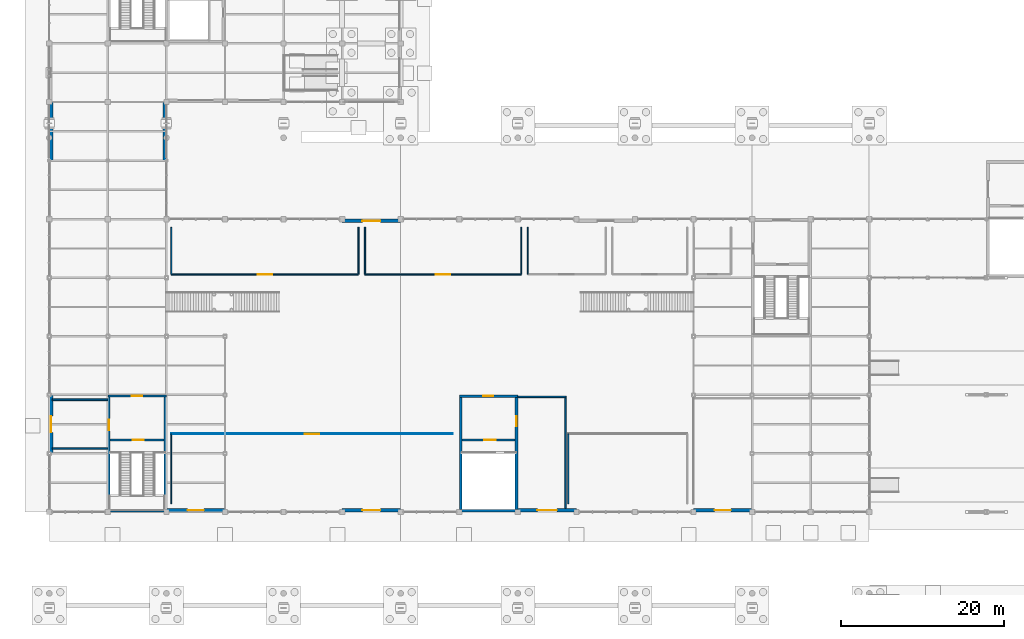
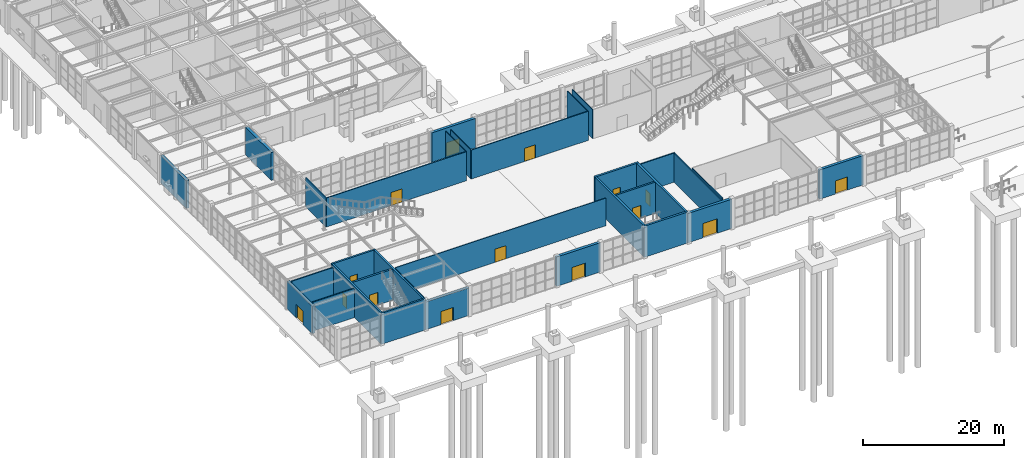
# One storey, part 57 of 75: 32 walls, 15 doors, 15 openings.
"""IFC4 building model written with IfcOpenShell, lengths in metres."""

from ifc_helpers import new_model, si_unit, direction, frame, frame_2d, origin, place, context, subcontext, project, spatial, rectangle, extrude, material, layer, layer_set, type_object, element, fill, save


model = new_model("IFC4")

# Units and contexts
model_context = context("Model", 3, precision=1e-05, world=origin(), true_north=direction((0.0, 1.0)))
body_context = subcontext(model_context, "Body", "Model", "MODEL_VIEW")
ifc_project = project(units=[si_unit("LENGTHUNIT", "METRE"), si_unit("AREAUNIT", "SQUARE_METRE"), si_unit("VOLUMEUNIT", "CUBIC_METRE"), si_unit("PLANEANGLEUNIT", "RADIAN"), si_unit("MASSUNIT", "GRAM", prefix="KILO")], contexts=[model_context])

# Site, building, storey
site_placement = place(None, origin())
site = spatial("IfcSite", under=ifc_project, at=site_placement, CompositionType="ELEMENT")
building_placement = place(site_placement, origin())
building = spatial("IfcBuilding", under=site, at=building_placement, Name="Leyfeld Transit Interchange", CompositionType="ELEMENT")
storey_placement = place(building_placement, origin())
storey = spatial("IfcBuildingStorey", under=building, at=storey_placement, Name="L00", CompositionType="ELEMENT", Elevation=0.0)

# Wall, opening, door
ifc_material_1 = material(Name="Leitha limestone ashlar - Insulated", Category="masonry")
ifc_layer_1 = layer(ifc_material_1, 0.43994140625, Name="Leitha limestone ashlar - Insulated")
ifc_layer_set_1 = layer_set([ifc_layer_1], Name="Leitha limestone ashlar - Insulated")
wall_type_1 = type_object("IfcWallType", Name="WL-EXT-STN-440", PredefinedType="SOLIDWALL", material=ifc_layer_set_1)
wall_1_placement = place(storey_placement, frame((0.219970703125, 21.60009765625, 0.0), z_axis=(0.0, 0.0, 1.0), x_axis=(0.0, 1.0, 0.0)))
wall_1 = element("IfcWall", 1, at=wall_1_placement, inside=storey, type_object=wall_type_1, Name="External Facade Wall EW-L00-001", PredefinedType="SOLIDWALL", context=body_context, shape_type="SweptSolid", body=[
    extrude(rectangle(XDim=7.199951171875, YDim=0.43994140625, at=frame_2d((3.60009765625, 0.0))), origin(), (0.0, 0.0, 1.0), 4.77001953125),
])
opening_1_placement = place(wall_1_placement, frame((2.60009765625, 0.0, 0.0)))
opening_1 = element("IfcOpeningElement", 2, at=opening_1_placement, cuts=wall_1, Name="Opening DE-03", PredefinedType="OPENING", context=body_context, shape_type="SweptSolid", body=[
    extrude(rectangle(XDim=2.0, YDim=2.300048828125, at=frame_2d((1.0, 1.14990234375))), frame((0.0, 0.22998046875, 0.0), z_axis=(0.0, -1.0, 0.0), x_axis=(1.0, 0.0, 0.0)), (0.0, 0.0, 1.0), 0.4599609375),
])
ifc_material_2 = material(Name="Anodised aluminium EN AW-6060 T66", Category="aluminium")
door_type_1 = type_object("IfcDoorType", Name="DR-EXT-DBL-2000x2300", OperationType="NOTDEFINED", PredefinedType="DOOR", material=ifc_material_2)
door_1_placement = place(opening_1_placement, origin())
door_1 = element("IfcDoor", 3, at=door_1_placement, inside=storey, type_object=door_type_1, Name="DR-EXT-CORE-K6", OperationType="DOUBLE_DOOR_SINGLE_SWING", OverallHeight=2.300048828125, OverallWidth=2.0, PredefinedType="DOOR", context=body_context, shape_type="SweptSolid", body=[
    extrude(rectangle(XDim=2.0, YDim=2.300048828125, at=frame_2d((1.0, 1.14990234375))), frame((0.0, 0.02490234375, 0.0), z_axis=(0.0, -1.0, 0.0), x_axis=(1.0, 0.0, 0.0)), (0.0, 0.0, 1.0), 0.050048828125),
])
fill(opening_1, door_1)

# Walls
for number, where, z_axis, x_axis, name in (
    (4, (0.219970703125, 57.485107421875, 0.0), (0.0, 0.0, 1.0), (0.0, 1.0, 0.0), "External Facade Wall EW-L00-002"),
    (5, (14.179931640625, 64.800048828125, 0.0), (0.0, 0.0, 1.0), (0.0, -1.0, 0.0), "External Facade Wall EW-L00-025"),
):
    element("IfcWall", number, at=place(storey_placement, frame(where, z_axis=z_axis, x_axis=x_axis)), inside=storey, type_object=wall_type_1, Name=name, PredefinedType="SOLIDWALL", context=body_context, shape_type="SweptSolid", body=[
        extrude(rectangle(XDim=7.31494140625, YDim=0.43994140625, at=frame_2d((3.657470703125, 0.0))), origin(), (0.0, 0.0, 1.0), 4.830078125),
    ])

# Wall, opening, door
wall_2_placement = place(storey_placement, frame((36.0, 50.179931640625, 0.0), z_axis=(0.0, 0.0, 1.0), x_axis=(1.0, 0.0, 0.0)))
wall_2 = element("IfcWall", 6, at=wall_2_placement, inside=storey, type_object=wall_type_1, Name="External Facade Wall EW-L00-026", PredefinedType="SOLIDWALL", context=body_context, shape_type="SweptSolid", body=[
    extrude(rectangle(XDim=7.199951171875, YDim=0.43994140625, at=frame_2d((3.60009765625, 0.0))), origin(), (0.0, 0.0, 1.0), 5.10009765625),
])
opening_2_placement = place(wall_2_placement, frame((2.5, 0.0, 0.0)))
opening_2 = element("IfcOpeningElement", 7, at=opening_2_placement, cuts=wall_2, Name="Opening DE-02", PredefinedType="OPENING", context=body_context, shape_type="SweptSolid", body=[
    extrude(rectangle(XDim=2.199951171875, YDim=2.39990234375, at=frame_2d((1.10009765625, 1.199951171875))), frame((0.0, 0.22998046875, 0.0), z_axis=(0.0, -1.0, 0.0), x_axis=(1.0, 0.0, 0.0)), (0.0, 0.0, 1.0), 0.4599609375),
])
door_type_2 = type_object("IfcDoorType", Name="DR-EXT-DBL-2200x2400", OperationType="NOTDEFINED", PredefinedType="DOOR", material=ifc_material_2)
door_2_placement = place(opening_2_placement, origin())
door_2 = element("IfcDoor", 8, at=door_2_placement, inside=storey, type_object=door_type_2, Name="DR-EXT-L00-007", OperationType="DOUBLE_DOOR_SINGLE_SWING", OverallHeight=2.39990234375, OverallWidth=2.199951171875, PredefinedType="DOOR", context=body_context, shape_type="SweptSolid", body=[
    extrude(rectangle(XDim=2.199951171875, YDim=2.39990234375, at=frame_2d((1.10009765625, 1.199951171875))), frame((0.0, 0.02490234375, 0.0), z_axis=(0.0, -1.0, 0.0), x_axis=(1.0, 0.0, 0.0)), (0.0, 0.0, 1.0), 0.050048828125),
])
fill(opening_2, door_2)

wall_3_placement = place(storey_placement, frame((86.39990234375, 14.6201171875, 0.0), z_axis=(0.0, 0.0, 1.0), x_axis=(-1.0, 0.0, 0.0)))
wall_3 = element("IfcWall", 9, at=wall_3_placement, inside=storey, type_object=wall_type_1, Name="External Facade Wall EW-L00-029", PredefinedType="SOLIDWALL", context=body_context, shape_type="SweptSolid", body=[
    extrude(rectangle(XDim=7.199951171875, YDim=0.43994140625, at=frame_2d((3.60009765625, 0.0))), origin(), (0.0, 0.0, 1.0), 5.10009765625),
])
opening_3_placement = place(wall_3_placement, frame((2.60009765625, 0.0, 0.0)))
opening_3 = element("IfcOpeningElement", 10, at=opening_3_placement, cuts=wall_3, Name="Opening DE-03", PredefinedType="OPENING", context=body_context, shape_type="SweptSolid", body=[
    extrude(rectangle(XDim=2.0, YDim=2.300048828125, at=frame_2d((1.0, 1.14990234375))), frame((0.0, 0.22998046875, 0.0), z_axis=(0.0, -1.0, 0.0), x_axis=(1.0, 0.0, 0.0)), (0.0, 0.0, 1.0), 0.4599609375),
])
door_3_placement = place(opening_3_placement, origin())
door_3 = element("IfcDoor", 11, at=door_3_placement, inside=storey, type_object=door_type_1, Name="DR-EXT-L00-011", OperationType="DOUBLE_DOOR_SINGLE_SWING", OverallHeight=2.300048828125, OverallWidth=2.0, PredefinedType="DOOR", context=body_context, shape_type="SweptSolid", body=[
    extrude(rectangle(XDim=2.0, YDim=2.300048828125, at=frame_2d((1.0, 1.14990234375))), frame((0.0, 0.02490234375, 0.0), z_axis=(0.0, -1.0, 0.0), x_axis=(1.0, 0.0, 0.0)), (0.0, 0.0, 1.0), 0.050048828125),
])
fill(opening_3, door_3)

wall_4_placement = place(storey_placement, frame((64.800048828125, 14.6201171875, 0.0), z_axis=(0.0, 0.0, 1.0), x_axis=(-1.0, 0.0, 0.0)))
wall_4 = element("IfcWall", 12, at=wall_4_placement, inside=storey, type_object=wall_type_1, Name="External Facade Wall EW-L00-030", PredefinedType="SOLIDWALL", context=body_context, shape_type="SweptSolid", body=[
    extrude(rectangle(XDim=7.199951171875, YDim=0.43994140625, at=frame_2d((3.60009765625, 0.0))), origin(), (0.0, 0.0, 1.0), 5.10009765625),
])
opening_4_placement = place(wall_4_placement, frame((2.39990234375, 0.0, 0.0)))
opening_4 = element("IfcOpeningElement", 13, at=opening_4_placement, cuts=wall_4, Name="Opening DE-01", PredefinedType="OPENING", context=body_context, shape_type="SweptSolid", body=[
    extrude(rectangle(XDim=2.39990234375, YDim=2.5, at=frame_2d((1.199951171875, 1.25))), frame((0.0, 0.22998046875, 0.0), z_axis=(0.0, -1.0, 0.0), x_axis=(1.0, 0.0, 0.0)), (0.0, 0.0, 1.0), 0.4599609375),
])
door_type_3 = type_object("IfcDoorType", Name="DR-EXT-DBL-2400x2500", OperationType="NOTDEFINED", PredefinedType="DOOR", material=ifc_material_2)
door_4_placement = place(opening_4_placement, origin())
door_4 = element("IfcDoor", 14, at=door_4_placement, inside=storey, type_object=door_type_3, Name="DR-EXT-L00-012", OperationType="DOUBLE_DOOR_SINGLE_SWING", OverallHeight=2.5, OverallWidth=2.39990234375, PredefinedType="DOOR", context=body_context, shape_type="SweptSolid", body=[
    extrude(rectangle(XDim=2.39990234375, YDim=2.5, at=frame_2d((1.199951171875, 1.25))), frame((0.0, 0.02490234375, 0.0), z_axis=(0.0, -1.0, 0.0), x_axis=(1.0, 0.0, 0.0)), (0.0, 0.0, 1.0), 0.050048828125),
])
fill(opening_4, door_4)

wall_5_placement = place(storey_placement, frame((43.199951171875, 14.6201171875, 0.0), z_axis=(0.0, 0.0, 1.0), x_axis=(-1.0, 0.0, 0.0)))
wall_5 = element("IfcWall", 15, at=wall_5_placement, inside=storey, type_object=wall_type_1, Name="External Facade Wall EW-L00-031", PredefinedType="SOLIDWALL", context=body_context, shape_type="SweptSolid", body=[
    extrude(rectangle(XDim=7.199951171875, YDim=0.43994140625, at=frame_2d((3.60009765625, 0.0))), origin(), (0.0, 0.0, 1.0), 5.10009765625),
])
opening_5_placement = place(wall_5_placement, frame((2.5, 0.0, 0.0)))
opening_5 = element("IfcOpeningElement", 16, at=opening_5_placement, cuts=wall_5, Name="Opening DE-02", PredefinedType="OPENING", context=body_context, shape_type="SweptSolid", body=[
    extrude(rectangle(XDim=2.199951171875, YDim=2.39990234375, at=frame_2d((1.10009765625, 1.199951171875))), frame((0.0, 0.22998046875, 0.0), z_axis=(0.0, -1.0, 0.0), x_axis=(1.0, 0.0, 0.0)), (0.0, 0.0, 1.0), 0.4599609375),
])
door_5_placement = place(opening_5_placement, origin())
door_5 = element("IfcDoor", 17, at=door_5_placement, inside=storey, type_object=door_type_2, Name="DR-EXT-L00-013", OperationType="DOUBLE_DOOR_SINGLE_SWING", OverallHeight=2.39990234375, OverallWidth=2.199951171875, PredefinedType="DOOR", context=body_context, shape_type="SweptSolid", body=[
    extrude(rectangle(XDim=2.199951171875, YDim=2.39990234375, at=frame_2d((1.10009765625, 1.199951171875))), frame((0.0, 0.02490234375, 0.0), z_axis=(0.0, -1.0, 0.0), x_axis=(1.0, 0.0, 0.0)), (0.0, 0.0, 1.0), 0.050048828125),
])
fill(opening_5, door_5)

wall_6_placement = place(storey_placement, frame((21.60009765625, 14.6201171875, 0.0), z_axis=(0.0, 0.0, 1.0), x_axis=(-1.0, 0.0, 0.0)))
wall_6 = element("IfcWall", 18, at=wall_6_placement, inside=storey, type_object=wall_type_1, Name="External Facade Wall EW-L00-032", PredefinedType="SOLIDWALL", context=body_context, shape_type="SweptSolid", body=[
    extrude(rectangle(XDim=7.2001953125, YDim=0.43994140625, at=frame_2d((3.60009765625, 0.0))), origin(), (0.0, 0.0, 1.0), 4.800048828125),
])
opening_6_placement = place(wall_6_placement, frame((2.60009765625, 0.0, 0.0)))
opening_6 = element("IfcOpeningElement", 19, at=opening_6_placement, cuts=wall_6, Name="Opening DE-03", PredefinedType="OPENING", context=body_context, shape_type="SweptSolid", body=[
    extrude(rectangle(XDim=2.0, YDim=2.300048828125, at=frame_2d((1.0, 1.14990234375))), frame((0.0, 0.22998046875, 0.0), z_axis=(0.0, -1.0, 0.0), x_axis=(1.0, 0.0, 0.0)), (0.0, 0.0, 1.0), 0.4599609375),
])
door_6_placement = place(opening_6_placement, origin())
door_6 = element("IfcDoor", 20, at=door_6_placement, inside=storey, type_object=door_type_1, Name="DR-EXT-L00-014", OperationType="DOUBLE_DOOR_SINGLE_SWING", OverallHeight=2.300048828125, OverallWidth=2.0, PredefinedType="DOOR", context=body_context, shape_type="SweptSolid", body=[
    extrude(rectangle(XDim=2.0, YDim=2.300048828125, at=frame_2d((1.0, 1.14990234375))), frame((0.0, 0.02490234375, 0.0), z_axis=(0.0, -1.0, 0.0), x_axis=(1.0, 0.0, 0.0)), (0.0, 0.0, 1.0), 0.050048828125),
])
fill(opening_6, door_6)

ifc_material_3 = material(Name="Laminated safety acoustic glazing", Category="glass")
ifc_layer_2 = layer(ifc_material_3, 0.10498046875, Name="Laminated safety acoustic glazing")
ifc_layer_set_2 = layer_set([ifc_layer_2], Name="Laminated safety acoustic glazing")
wall_type_2 = type_object("IfcWallType", Name="WL-INT-GLZ-105", PredefinedType="PARTITIONING", material=ifc_layer_set_2)
wall_7_placement = place(storey_placement, frame((15.0, 24.0, 0.0), z_axis=(0.0, 0.0, 1.0), x_axis=(1.0, 0.0, 0.0)))
wall_7 = element("IfcWall", 21, at=wall_7_placement, inside=storey, type_object=wall_type_2, Name="Interior Partition L00-TIC-01 N", PredefinedType="PARTITIONING", context=body_context, shape_type="SweptSolid", body=[
    extrude(rectangle(XDim=34.60009765625, YDim=0.10498046875, at=frame_2d((17.300048828125, 0.0))), origin(), (0.0, 0.0, 1.0), 4.800048828125),
])
opening_7_placement = place(wall_7_placement, frame((16.409912109375, 0.0, 0.0)))
opening_7 = element("IfcOpeningElement", 22, at=opening_7_placement, cuts=wall_7, Name="Opening DU-19", PredefinedType="OPENING", context=body_context, shape_type="SweptSolid", body=[
    extrude(rectangle(XDim=1.780029296875, YDim=2.280029296875, at=frame_2d((0.89013671875, 1.14013671875))), frame((0.0, 0.0625, 0.0), z_axis=(0.0, -1.0, 0.0), x_axis=(1.0, 0.0, 0.0)), (0.0, 0.0, 1.0), 0.125),
])
ifc_material_4 = material(Name="Austrian larch glulam GL28h", Category="wood")
door_type_4 = type_object("IfcDoorType", Name="DR-UNQ-19", OperationType="NOTDEFINED", PredefinedType="DOOR", material=ifc_material_4)
door_7_placement = place(opening_7_placement, origin())
door_7 = element("IfcDoor", 23, at=door_7_placement, inside=storey, type_object=door_type_4, Name="DR-L00-TIC-01", OperationType="DOUBLE_DOOR_SINGLE_SWING", OverallHeight=2.280029296875, OverallWidth=1.780029296875, PredefinedType="DOOR", context=body_context, shape_type="SweptSolid", body=[
    extrude(rectangle(XDim=1.780029296875, YDim=2.280029296875, at=frame_2d((0.89013671875, 1.14013671875))), frame((0.0, 0.02490234375, 0.0), z_axis=(0.0, -1.0, 0.0), x_axis=(1.0, 0.0, 0.0)), (0.0, 0.0, 1.0), 0.050048828125),
])
fill(opening_7, door_7)

# Walls
ifc_material_5 = material(Name="Calcium silicate masonry", Category="masonry")
ifc_layer_3 = layer(ifc_material_5, 0.18994140625, Name="Calcium silicate masonry")
ifc_layer_set_3 = layer_set([ifc_layer_3], Name="Calcium silicate masonry")
wall_type_3 = type_object("IfcWallType", Name="WL-INT-PLT-190", PredefinedType="PARTITIONING", material=ifc_layer_set_3)
for number, where, z_axis, x_axis, name in (
    (24, (0.3798828125, 28.199951171875, 0.0), (0.0, 0.0, 1.0), (1.0, 0.0, 0.0), "Interior Partition L00-ESC-K6 N"),
    (25, (7.199951171875, 22.199951171875, 0.0), (0.0, 0.0, 1.0), (-1.0, 0.0, 0.0), "Interior Partition L00-ESC-K6 S"),
):
    element("IfcWall", number, at=place(storey_placement, frame(where, z_axis=z_axis, x_axis=x_axis)), inside=storey, type_object=wall_type_3, Name=name, PredefinedType="PARTITIONING", context=body_context, shape_type="SweptSolid", body=[
        extrude(rectangle(XDim=6.820068359375, YDim=0.18994140625, at=frame_2d((3.41015625, 0.0))), origin(), (0.0, 0.0, 1.0), 5.050048828125),
    ])
wall_8_placement = place(storey_placement, frame((63.449951171875, 14.840087890625, 0.0), z_axis=(0.0, 0.0, 1.0), x_axis=(0.0, 1.0, 0.0)))
element("IfcWall", 26, at=wall_8_placement, inside=storey, type_object=wall_type_3, Name="Interior Partition L00-ESC-K8 E", PredefinedType="PARTITIONING", context=body_context, shape_type="SweptSolid", body=[
    extrude(rectangle(XDim=13.794921875, YDim=0.18994140625, at=frame_2d((6.8974609375, 0.0))), origin(), (0.0, 0.0, 1.0), 5.050048828125),
])
wall_9_placement = place(storey_placement, frame((57.60009765625, 28.5400390625, 0.0), z_axis=(0.0, 0.0, 1.0), x_axis=(1.0, 0.0, 0.0)))
element("IfcWall", 27, at=wall_9_placement, inside=storey, type_object=wall_type_3, Name="Interior Partition L00-ESC-K8 N", PredefinedType="PARTITIONING", context=body_context, shape_type="SweptSolid", body=[
    extrude(rectangle(XDim=5.94482421875, YDim=0.18994140625, at=frame_2d((2.972412109375, 0.0))), origin(), (0.0, 0.0, 1.0), 5.050048828125),
])
ifc_material_6 = material(Name="Gypsum plasterboard acoustic stud", Category="gypsum")
ifc_layer_4 = layer(ifc_material_6, 0.135009765625, Name="Gypsum plasterboard acoustic stud")
ifc_layer_set_4 = layer_set([ifc_layer_4], Name="Gypsum plasterboard acoustic stud")
wall_type_4 = type_object("IfcWallType", Name="WL-INT-RET-135", PredefinedType="PARTITIONING", material=ifc_layer_set_4)
wall_10_placement = place(storey_placement, frame((15.0, 15.39990234375, 0.0), z_axis=(0.0, 0.0, 1.0), x_axis=(0.0, 1.0, 0.0)))
element("IfcWall", 28, at=wall_10_placement, inside=storey, type_object=wall_type_4, Name="Interior Partition L00-TIC-01 W", PredefinedType="PARTITIONING", context=body_context, shape_type="SweptSolid", body=[
    extrude(rectangle(XDim=8.60009765625, YDim=0.135009765625, at=frame_2d((4.300048828125, 0.0))), origin(), (0.0, 0.0, 1.0), 4.64990234375),
])
wall_11_placement = place(storey_placement, frame((63.800048828125, 15.39990234375, 0.0), z_axis=(0.0, 0.0, 1.0), x_axis=(0.0, 1.0, 0.0)))
element("IfcWall", 29, at=wall_11_placement, inside=storey, type_object=wall_type_4, Name="Interior Partition L00-RET-01 W", PredefinedType="PARTITIONING", context=body_context, shape_type="SweptSolid", body=[
    extrude(rectangle(XDim=8.60009765625, YDim=0.135009765625, at=frame_2d((4.300048828125, 0.0))), origin(), (0.0, 0.0, 1.0), 5.050048828125),
])

# Wall, opening, door
ifc_layer_5 = layer(ifc_material_6, 0.14501953125, Name="Gypsum plasterboard acoustic stud")
ifc_layer_set_5 = layer_set([ifc_layer_5], Name="Gypsum plasterboard acoustic stud")
wall_type_5 = type_object("IfcWallType", Name="WL-INT-STD-145", PredefinedType="PARTITIONING", material=ifc_layer_set_5)
wall_12_placement = place(storey_placement, frame((38.0, 43.60009765625, 0.0), z_axis=(0.0, 0.0, 1.0), x_axis=(-1.0, 0.0, 0.0)))
wall_12 = element("IfcWall", 30, at=wall_12_placement, inside=storey, type_object=wall_type_5, Name="Interior Partition L00-INF-01 S", PredefinedType="PARTITIONING", context=body_context, shape_type="SweptSolid", body=[
    extrude(rectangle(XDim=23.0, YDim=0.14501953125, at=frame_2d((11.5, 0.0))), origin(), (0.0, 0.0, 1.0), 5.050048828125),
])
opening_8_placement = place(wall_12_placement, frame((10.610107421875, 0.0, 0.0)))
opening_8 = element("IfcOpeningElement", 31, at=opening_8_placement, cuts=wall_12, Name="Opening DU-19", PredefinedType="OPENING", context=body_context, shape_type="SweptSolid", body=[
    extrude(rectangle(XDim=1.780029296875, YDim=2.280029296875, at=frame_2d((0.89013671875, 1.14013671875))), frame((0.0, 0.08251953125, 0.0), z_axis=(0.0, -1.0, 0.0), x_axis=(1.0, 0.0, 0.0)), (0.0, 0.0, 1.0), 0.1650390625),
])
door_8_placement = place(opening_8_placement, origin())
door_8 = element("IfcDoor", 32, at=door_8_placement, inside=storey, type_object=door_type_4, Name="DR-L00-INF-01", OperationType="DOUBLE_DOOR_SINGLE_SWING", OverallHeight=2.280029296875, OverallWidth=1.780029296875, PredefinedType="DOOR", context=body_context, shape_type="SweptSolid", body=[
    extrude(rectangle(XDim=1.780029296875, YDim=2.280029296875, at=frame_2d((0.89013671875, 1.14013671875))), frame((0.0, 0.02490234375, 0.0), z_axis=(0.0, -1.0, 0.0), x_axis=(1.0, 0.0, 0.0)), (0.0, 0.0, 1.0), 0.050048828125),
])
fill(opening_8, door_8)

# Walls
for number, where, z_axis, x_axis, name in (
    (33, (38.0, 49.39990234375, 0.0), (0.0, 0.0, 1.0), (0.0, -1.0, 0.0), "Interior Partition L00-INF-01 E"),
    (34, (15.0, 43.60009765625, 0.0), (0.0, 0.0, 1.0), (0.0, 1.0, 0.0), "Interior Partition L00-INF-01 W"),
):
    element("IfcWall", number, at=place(storey_placement, frame(where, z_axis=z_axis, x_axis=x_axis)), inside=storey, type_object=wall_type_5, Name=name, PredefinedType="PARTITIONING", context=body_context, shape_type="SweptSolid", body=[
        extrude(rectangle(XDim=5.7998046875, YDim=0.14501953125, at=frame_2d((2.89990234375, 0.0))), origin(), (0.0, 0.0, 1.0), 5.050048828125),
    ])

# Wall, opening, door
wall_13_placement = place(storey_placement, frame((58.0, 43.60009765625, 0.0), z_axis=(0.0, 0.0, 1.0), x_axis=(-1.0, 0.0, 0.0)))
wall_13 = element("IfcWall", 35, at=wall_13_placement, inside=storey, type_object=wall_type_5, Name="Interior Partition L00-LUG-01 S", PredefinedType="PARTITIONING", context=body_context, shape_type="SweptSolid", body=[
    extrude(rectangle(XDim=19.199951171875, YDim=0.14501953125, at=frame_2d((9.60009765625, 0.0))), origin(), (0.0, 0.0, 1.0), 5.050048828125),
])
opening_9_placement = place(wall_13_placement, frame((8.7099609375, 0.0, 0.0)))
opening_9 = element("IfcOpeningElement", 36, at=opening_9_placement, cuts=wall_13, Name="Opening DU-19", PredefinedType="OPENING", context=body_context, shape_type="SweptSolid", body=[
    extrude(rectangle(XDim=1.780029296875, YDim=2.280029296875, at=frame_2d((0.89013671875, 1.14013671875))), frame((0.0, 0.08251953125, 0.0), z_axis=(0.0, -1.0, 0.0), x_axis=(1.0, 0.0, 0.0)), (0.0, 0.0, 1.0), 0.1650390625),
])
door_9_placement = place(opening_9_placement, origin())
door_9 = element("IfcDoor", 37, at=door_9_placement, inside=storey, type_object=door_type_4, Name="DR-L00-LUG-01", OperationType="DOUBLE_DOOR_SINGLE_SWING", OverallHeight=2.280029296875, OverallWidth=1.780029296875, PredefinedType="DOOR", context=body_context, shape_type="SweptSolid", body=[
    extrude(rectangle(XDim=1.780029296875, YDim=2.280029296875, at=frame_2d((0.89013671875, 1.14013671875))), frame((0.0, 0.02490234375, 0.0), z_axis=(0.0, -1.0, 0.0), x_axis=(1.0, 0.0, 0.0)), (0.0, 0.0, 1.0), 0.050048828125),
])
fill(opening_9, door_9)

# Walls
for number, where, z_axis, x_axis, name in (
    (38, (58.0, 49.39990234375, 0.0), (0.0, 0.0, 1.0), (0.0, -1.0, 0.0), "Interior Partition L00-LUG-01 E"),
    (39, (38.800048828125, 43.60009765625, 0.0), (0.0, 0.0, 1.0), (0.0, 1.0, 0.0), "Interior Partition L00-LUG-01 W"),
):
    element("IfcWall", number, at=place(storey_placement, frame(where, z_axis=z_axis, x_axis=x_axis)), inside=storey, type_object=wall_type_5, Name=name, PredefinedType="PARTITIONING", context=body_context, shape_type="SweptSolid", body=[
        extrude(rectangle(XDim=5.7998046875, YDim=0.14501953125, at=frame_2d((2.89990234375, 0.0))), origin(), (0.0, 0.0, 1.0), 5.050048828125),
    ])
ifc_material_7 = material(Name="Autoclaved aerated blockwork G4", Category="masonry")
ifc_layer_6 = layer(ifc_material_7, 0.125, Name="Autoclaved aerated blockwork G4")
ifc_layer_set_6 = layer_set([ifc_layer_6], Name="Autoclaved aerated blockwork G4")
wall_type_6 = type_object("IfcWallType", Name="WL-INT-WC-125", PredefinedType="PARTITIONING", material=ifc_layer_set_6)
wall_14_placement = place(storey_placement, frame((58.800048828125, 43.60009765625, 0.0), z_axis=(0.0, 0.0, 1.0), x_axis=(0.0, 1.0, 0.0)))
element("IfcWall", 40, at=wall_14_placement, inside=storey, type_object=wall_type_6, Name="Interior Partition L00-WCM-01 W", PredefinedType="PARTITIONING", context=body_context, shape_type="SweptSolid", body=[
    extrude(rectangle(XDim=5.7998046875, YDim=0.125, at=frame_2d((2.89990234375, 0.0))), origin(), (0.0, 0.0, 1.0), 5.050048828125),
])

# Wall, opening, door
ifc_material_8 = material(Name="Concrete C35/45", Category="concrete")
ifc_layer_7 = layer(ifc_material_8, 0.300048828125, Name="Concrete C35/45")
ifc_layer_set_7 = layer_set([ifc_layer_7], Name="Concrete C35/45")
wall_type_7 = type_object("IfcWallType", Name="WL-SH-300", PredefinedType="SHEAR", material=ifc_layer_set_7)
wall_15_placement = place(storey_placement, frame((7.47998046875, 23.25, 0.0), z_axis=(0.0, 0.0, 1.0), x_axis=(1.0, 0.0, 0.0)))
wall_15 = element("IfcWall", 41, at=wall_15_placement, inside=storey, type_object=wall_type_7, Name="Core K6 Shear Wall STRN L00", PredefinedType="SHEAR", context=body_context, shape_type="SweptSolid", body=[
    extrude(rectangle(XDim=6.64013671875, YDim=0.300048828125, at=frame_2d((3.320068359375, 0.0))), origin(), (0.0, 0.0, 1.0), 5.39990234375),
])
opening_10_placement = place(wall_15_placement, frame((2.760009765625, 0.0, 0.0)))
opening_10 = element("IfcOpeningElement", 42, at=opening_10_placement, cuts=wall_15, Name="Opening DI-01", PredefinedType="OPENING", context=body_context, shape_type="SweptSolid", body=[
    extrude(rectangle(XDim=1.39990234375, YDim=2.199951171875, at=frame_2d((0.699951171875, 1.10009765625))), frame((0.0, 0.159912109375, 0.0), z_axis=(0.0, -1.0, 0.0), x_axis=(1.0, 0.0, 0.0)), (0.0, 0.0, 1.0), 0.320068359375),
])
ifc_material_9 = material(Name="Galvanised steel S275JR", Category="steel")
door_type_5 = type_object("IfcDoorType", Name="DR-STR-1400x2200", OperationType="NOTDEFINED", PredefinedType="DOOR", material=ifc_material_9)
door_10_placement = place(opening_10_placement, origin())
door_10 = element("IfcDoor", 43, at=door_10_placement, inside=storey, type_object=door_type_5, Name="DR-STR-INT-K6-L00", OperationType="SINGLE_SWING_LEFT", OverallHeight=2.199951171875, OverallWidth=1.39990234375, PredefinedType="DOOR", context=body_context, shape_type="SweptSolid", body=[
    extrude(rectangle(XDim=1.39990234375, YDim=2.199951171875, at=frame_2d((0.699951171875, 1.10009765625))), frame((0.0, 0.02490234375, 0.0), z_axis=(0.0, -1.0, 0.0), x_axis=(1.0, 0.0, 0.0)), (0.0, 0.0, 1.0), 0.050048828125),
])
fill(opening_10, door_10)

wall_16_placement = place(storey_placement, frame((50.72998046875, 23.25, 0.0), z_axis=(0.0, 0.0, 1.0), x_axis=(1.0, 0.0, 0.0)))
wall_16 = element("IfcWall", 44, at=wall_16_placement, inside=storey, type_object=wall_type_7, Name="Core K8 Shear Wall STRN L00", PredefinedType="SHEAR", context=body_context, shape_type="SweptSolid", body=[
    extrude(rectangle(XDim=6.5400390625, YDim=0.300048828125, at=frame_2d((3.27001953125, 0.0))), origin(), (0.0, 0.0, 1.0), 5.39990234375),
])
opening_11_placement = place(wall_16_placement, frame((2.735107421875, 0.0, 0.0)))
opening_11 = element("IfcOpeningElement", 45, at=opening_11_placement, cuts=wall_16, Name="Opening DI-01", PredefinedType="OPENING", context=body_context, shape_type="SweptSolid", body=[
    extrude(rectangle(XDim=1.39990234375, YDim=2.199951171875, at=frame_2d((0.699951171875, 1.10009765625))), frame((0.0, 0.159912109375, 0.0), z_axis=(0.0, -1.0, 0.0), x_axis=(1.0, 0.0, 0.0)), (0.0, 0.0, 1.0), 0.320068359375),
])
door_11_placement = place(opening_11_placement, origin())
door_11 = element("IfcDoor", 46, at=door_11_placement, inside=storey, type_object=door_type_5, Name="DR-STR-INT-K8-L00", OperationType="SINGLE_SWING_RIGHT", OverallHeight=2.199951171875, OverallWidth=1.39990234375, PredefinedType="DOOR", context=body_context, shape_type="SweptSolid", body=[
    extrude(rectangle(XDim=1.39990234375, YDim=2.199951171875, at=frame_2d((0.699951171875, 1.10009765625))), frame((0.0, 0.02490234375, 0.0), z_axis=(0.0, -1.0, 0.0), x_axis=(1.0, 0.0, 0.0)), (0.0, 0.0, 1.0), 0.050048828125),
])
fill(opening_11, door_11)

ifc_layer_8 = layer(ifc_material_8, 0.280029296875, Name="Concrete C35/45")
ifc_layer_set_8 = layer_set([ifc_layer_8], Name="Concrete C35/45")
wall_type_8 = type_object("IfcWallType", Name="WL-SH-VAR-280", PredefinedType="SHEAR", material=ifc_layer_set_8)
wall_17_placement = place(storey_placement, frame((7.199951171875, 28.659912109375, 0.0), z_axis=(0.0, 0.0, 1.0), x_axis=(1.0, 0.0, 0.0)))
wall_17 = element("IfcWall", 47, at=wall_17_placement, inside=storey, type_object=wall_type_8, Name="Core K6 Shear Wall N L00", PredefinedType="SHEAR", context=body_context, shape_type="SweptSolid", body=[
    extrude(rectangle(XDim=7.199951171875, YDim=0.280029296875, at=frame_2d((3.60009765625, 0.0))), origin(), (0.0, 0.0, 1.0), 5.39990234375),
])
opening_12_placement = place(wall_17_placement, frame((2.949951171875, 0.0, 0.0)))
opening_12 = element("IfcOpeningElement", 48, at=opening_12_placement, cuts=wall_17, Name="Opening DI-02", PredefinedType="OPENING", context=body_context, shape_type="SweptSolid", body=[
    extrude(rectangle(XDim=1.25, YDim=2.199951171875, at=frame_2d((0.625, 1.10009765625))), frame((0.0, 0.14990234375, 0.0), z_axis=(0.0, -1.0, 0.0), x_axis=(1.0, 0.0, 0.0)), (0.0, 0.0, 1.0), 0.300048828125),
])
door_type_6 = type_object("IfcDoorType", Name="DR-FFL-1250x2200", OperationType="NOTDEFINED", PredefinedType="DOOR", material=ifc_material_9)
door_12_placement = place(opening_12_placement, origin())
door_12 = element("IfcDoor", 49, at=door_12_placement, inside=storey, type_object=door_type_6, Name="DR-CORE-OUT-K6-L00-N", OperationType="SINGLE_SWING_RIGHT", OverallHeight=2.199951171875, OverallWidth=1.25, PredefinedType="DOOR", context=body_context, shape_type="SweptSolid", body=[
    extrude(rectangle(XDim=1.25, YDim=2.199951171875, at=frame_2d((0.625, 1.10009765625))), frame((0.0, 0.02490234375, 0.0), z_axis=(0.0, -1.0, 0.0), x_axis=(1.0, 0.0, 0.0)), (0.0, 0.0, 1.0), 0.050048828125),
])
fill(opening_12, door_12)

# Walls
wall_18_placement = place(storey_placement, frame((14.260009765625, 28.52001953125, 0.0), z_axis=(0.0, 0.0, 1.0), x_axis=(0.0, -1.0, 0.0)))
element("IfcWall", 50, at=wall_18_placement, inside=storey, type_object=wall_type_8, Name="Core K6 Shear Wall E L00", PredefinedType="SHEAR", context=body_context, shape_type="SweptSolid", body=[
    extrude(rectangle(XDim=13.840087890625, YDim=0.280029296875, at=frame_2d((6.919921875, 0.0))), origin(), (0.0, 0.0, 1.0), 5.39990234375),
])
wall_19_placement = place(storey_placement, frame((14.39990234375, 14.5400390625, 0.0), z_axis=(0.0, 0.0, 1.0), x_axis=(-1.0, 0.0, 0.0)))
element("IfcWall", 51, at=wall_19_placement, inside=storey, type_object=wall_type_8, Name="Core K6 Shear Wall S L00", PredefinedType="SHEAR", context=body_context, shape_type="SweptSolid", body=[
    extrude(rectangle(XDim=7.199951171875, YDim=0.280029296875, at=frame_2d((3.60009765625, 0.0))), origin(), (0.0, 0.0, 1.0), 5.39990234375),
])

# Wall, opening, door
wall_20_placement = place(storey_placement, frame((7.340087890625, 14.679931640625, 0.0), z_axis=(0.0, 0.0, 1.0), x_axis=(0.0, 1.0, 0.0)))
wall_20 = element("IfcWall", 52, at=wall_20_placement, inside=storey, type_object=wall_type_8, Name="Core K6 Shear Wall W L00", PredefinedType="SHEAR", context=body_context, shape_type="SweptSolid", body=[
    extrude(rectangle(XDim=13.840087890625, YDim=0.280029296875, at=frame_2d((6.919921875, 0.0))), origin(), (0.0, 0.0, 1.0), 5.39990234375),
])
opening_13_placement = place(wall_20_placement, frame((9.800048828125, 0.0, 0.0)))
opening_13 = element("IfcOpeningElement", 53, at=opening_13_placement, cuts=wall_20, Name="Opening DI-02", PredefinedType="OPENING", context=body_context, shape_type="SweptSolid", body=[
    extrude(rectangle(XDim=1.25, YDim=2.199951171875, at=frame_2d((0.625, 1.10009765625))), frame((0.0, 0.14990234375, 0.0), z_axis=(0.0, -1.0, 0.0), x_axis=(1.0, 0.0, 0.0)), (0.0, 0.0, 1.0), 0.300048828125),
])
door_13_placement = place(opening_13_placement, origin())
door_13 = element("IfcDoor", 54, at=door_13_placement, inside=storey, type_object=door_type_6, Name="DR-CORE-OUT-K6-L00-W", OperationType="SINGLE_SWING_LEFT", OverallHeight=2.199951171875, OverallWidth=1.25, PredefinedType="DOOR", context=body_context, shape_type="SweptSolid", body=[
    extrude(rectangle(XDim=1.25, YDim=2.199951171875, at=frame_2d((0.625, 1.10009765625))), frame((0.0, 0.02490234375, 0.0), z_axis=(0.0, -1.0, 0.0), x_axis=(1.0, 0.0, 0.0)), (0.0, 0.0, 1.0), 0.050048828125),
])
fill(opening_13, door_13)

ifc_layer_9 = layer(ifc_material_8, 0.330078125, Name="Concrete C35/45")
ifc_layer_set_9 = layer_set([ifc_layer_9], Name="Concrete C35/45")
wall_type_9 = type_object("IfcWallType", Name="WL-SH-VAR-330", PredefinedType="SHEAR", material=ifc_layer_set_9)
wall_21_placement = place(storey_placement, frame((50.39990234375, 28.635009765625, 0.0), z_axis=(0.0, 0.0, 1.0), x_axis=(1.0, 0.0, 0.0)))
wall_21 = element("IfcWall", 55, at=wall_21_placement, inside=storey, type_object=wall_type_9, Name="Core K8 Shear Wall N L00", PredefinedType="SHEAR", context=body_context, shape_type="SweptSolid", body=[
    extrude(rectangle(XDim=7.2001953125, YDim=0.330078125, at=frame_2d((3.60009765625, 0.0))), origin(), (0.0, 0.0, 1.0), 5.39990234375),
])
opening_14_placement = place(wall_21_placement, frame((2.949951171875, 0.0, 0.0)))
opening_14 = element("IfcOpeningElement", 56, at=opening_14_placement, cuts=wall_21, Name="Opening DI-02", PredefinedType="OPENING", context=body_context, shape_type="SweptSolid", body=[
    extrude(rectangle(XDim=1.25, YDim=2.199951171875, at=frame_2d((0.625, 1.10009765625))), frame((0.0, 0.175048828125, 0.0), z_axis=(0.0, -1.0, 0.0), x_axis=(1.0, 0.0, 0.0)), (0.0, 0.0, 1.0), 0.35009765625),
])
door_14_placement = place(opening_14_placement, origin())
door_14 = element("IfcDoor", 57, at=door_14_placement, inside=storey, type_object=door_type_6, Name="DR-CORE-OUT-K8-L00", OperationType="SINGLE_SWING_LEFT", OverallHeight=2.199951171875, OverallWidth=1.25, PredefinedType="DOOR", context=body_context, shape_type="SweptSolid", body=[
    extrude(rectangle(XDim=1.25, YDim=2.199951171875, at=frame_2d((0.625, 1.10009765625))), frame((0.0, 0.02490234375, 0.0), z_axis=(0.0, -1.0, 0.0), x_axis=(1.0, 0.0, 0.0)), (0.0, 0.0, 1.0), 0.050048828125),
])
fill(opening_14, door_14)

wall_22_placement = place(storey_placement, frame((57.43505859375, 28.469970703125, 0.0), z_axis=(0.0, 0.0, 1.0), x_axis=(0.0, -1.0, 0.0)))
wall_22 = element("IfcWall", 58, at=wall_22_placement, inside=storey, type_object=wall_type_9, Name="Core K8 Shear Wall E L00", PredefinedType="SHEAR", context=body_context, shape_type="SweptSolid", body=[
    extrude(rectangle(XDim=13.739990234375, YDim=0.330078125, at=frame_2d((6.8701171875, 0.0))), origin(), (0.0, 0.0, 1.0), 5.39990234375),
])
opening_15_placement = place(wall_22_placement, frame((2.300048828125, 0.0, 0.0)))
opening_15 = element("IfcOpeningElement", 59, at=opening_15_placement, cuts=wall_22, Name="Opening DI-02", PredefinedType="OPENING", context=body_context, shape_type="SweptSolid", body=[
    extrude(rectangle(XDim=1.25, YDim=2.199951171875, at=frame_2d((0.625, 1.10009765625))), frame((0.0, 0.175048828125, 0.0), z_axis=(0.0, -1.0, 0.0), x_axis=(1.0, 0.0, 0.0)), (0.0, 0.0, 1.0), 0.35009765625),
])
door_15_placement = place(opening_15_placement, origin())
door_15 = element("IfcDoor", 60, at=door_15_placement, inside=storey, type_object=door_type_6, Name="DR-CORE-OUT-K8-L00-E", OperationType="SINGLE_SWING_LEFT", OverallHeight=2.199951171875, OverallWidth=1.25, PredefinedType="DOOR", context=body_context, shape_type="SweptSolid", body=[
    extrude(rectangle(XDim=1.25, YDim=2.199951171875, at=frame_2d((0.625, 1.10009765625))), frame((0.0, 0.02490234375, 0.0), z_axis=(0.0, -1.0, 0.0), x_axis=(1.0, 0.0, 0.0)), (0.0, 0.0, 1.0), 0.050048828125),
])
fill(opening_15, door_15)

# Walls
wall_23_placement = place(storey_placement, frame((57.60009765625, 14.56494140625, 0.0), z_axis=(0.0, 0.0, 1.0), x_axis=(-1.0, 0.0, 0.0)))
element("IfcWall", 61, at=wall_23_placement, inside=storey, type_object=wall_type_9, Name="Core K8 Shear Wall S L00", PredefinedType="SHEAR", context=body_context, shape_type="SweptSolid", body=[
    extrude(rectangle(XDim=7.2001953125, YDim=0.330078125, at=frame_2d((3.60009765625, 0.0))), origin(), (0.0, 0.0, 1.0), 5.39990234375),
])
wall_24_placement = place(storey_placement, frame((50.56494140625, 14.72998046875, 0.0), z_axis=(0.0, 0.0, 1.0), x_axis=(0.0, 1.0, 0.0)))
element("IfcWall", 62, at=wall_24_placement, inside=storey, type_object=wall_type_9, Name="Core K8 Shear Wall W L00", PredefinedType="SHEAR", context=body_context, shape_type="SweptSolid", body=[
    extrude(rectangle(XDim=13.739990234375, YDim=0.330078125, at=frame_2d((6.8701171875, 0.0))), origin(), (0.0, 0.0, 1.0), 5.39990234375),
])

save(model, "model.ifc")
